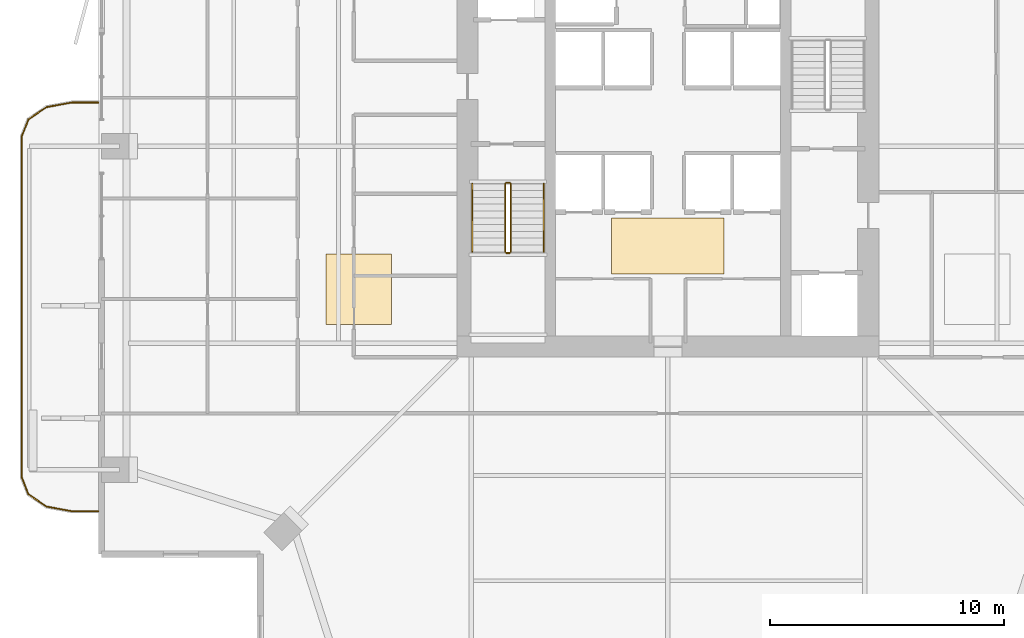
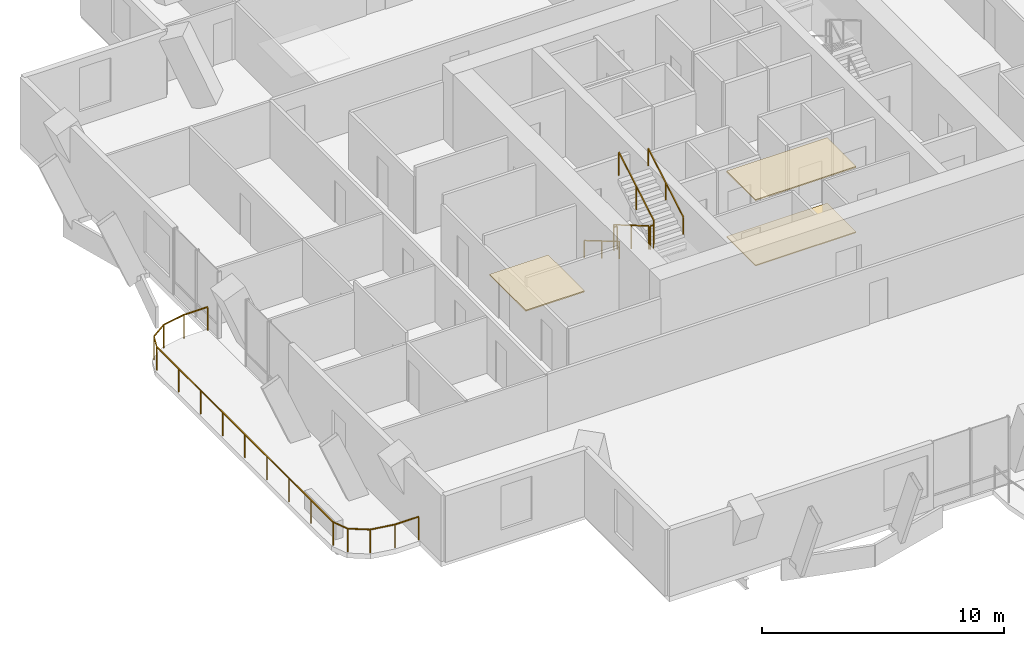
# One storey, part 22 of 24: 7 railings, 3 coverings.
"""IFC4 building model written with IfcOpenShell, lengths in metres."""

import ifcopenshell
import ifcopenshell.guid

model = None  # the IFC model being written
_history = None  # IfcOwnerHistory: only IFC2X3 demands one
_inside = {}  # id of a spatial element -> (the spatial element, [elements in it])
_under = {}  # id of a project, library or spatial element -> (it, [spatial elements below it])
_declared = {}  # id of a project -> (the project, [libraries it declares])
_typed = {}  # id of a type object -> (the type object, [elements of that type])
_made_of = {}  # id of a material, layer set ... -> (it, [elements and type objects made of it])


def new_model(schema):
    """Start an empty IFC model of exactly this schema.

    Asked for "IFC4X3", IfcOpenShell would pick the latest addendum, in which some entities
    have other attributes; the version numbers below select the first issue.
    IFC2X3 requires an IfcOwnerHistory on every rooted entity: one is made here for all.
    """
    global model, _history
    if schema == "IFC4X3":
        model = ifcopenshell.file(schema_version=(4, 3, 0, 0))
    else:
        model = ifcopenshell.file(schema=schema)
    _inside.clear()
    _under.clear()
    _declared.clear()
    _typed.clear()
    _made_of.clear()
    _history = None
    if model.schema == "IFC2X3":
        org = make("IfcOrganization", Name="unknown")
        user = make(
            "IfcPersonAndOrganization",
            ThePerson=make("IfcPerson", FamilyName="unknown"),
            TheOrganization=org,
        )
        app = make(
            "IfcApplication",
            ApplicationDeveloper=org,
            Version="unknown",
            ApplicationFullName="unknown",
            ApplicationIdentifier="unknown",
        )
        _history = make(
            "IfcOwnerHistory",
            OwningUser=user,
            OwningApplication=app,
            ChangeAction="ADDED",
            CreationDate=0,
        )
    return model


def make(cls, **values):
    """One entity of the class cls with the attributes given. An attribute that is None is left unset."""
    return model.create_entity(
        cls, **{name: value for name, value in values.items() if value is not None}
    )


def rooted(cls, **values):
    """An entity with a GlobalId (a new one), such as an element, a storey or a relation."""
    return make(cls, GlobalId=ifcopenshell.guid.new(), OwnerHistory=_history, **values)


def si_unit(unit_type, name, prefix=None):
    """IfcSIUnit, for example si_unit("LENGTHUNIT", "METRE", prefix="MILLI")."""
    return make("IfcSIUnit", UnitType=unit_type, Prefix=prefix, Name=name)


def assignment(units):
    """IfcUnitAssignment: the units of a project."""
    return None if units is None else make("IfcUnitAssignment", Units=units)


def point(xyz):
    """IfcCartesianPoint."""
    return None if xyz is None else make("IfcCartesianPoint", Coordinates=xyz)


def direction(xyz):
    """IfcDirection."""
    return None if xyz is None else make("IfcDirection", DirectionRatios=xyz)


def frame(location, z_axis=None, x_axis=None):
    """IfcAxis2Placement3D, a coordinate frame: its origin and axes. An axis left out is left unset."""
    return make(
        "IfcAxis2Placement3D",
        Location=point(location),
        Axis=direction(z_axis),
        RefDirection=direction(x_axis),
    )


def frame_2d(location, x_axis=None):
    """IfcAxis2Placement2D, a coordinate frame in the plane: its origin and x axis."""
    return make(
        "IfcAxis2Placement2D", Location=point(location), RefDirection=direction(x_axis)
    )


def origin():
    """The frame at (0, 0, 0) with its axes left unset."""
    return frame((0.0, 0.0, 0.0))


def origin_2d():
    """The frame at (0, 0) in the plane with its x axis left unset."""
    return frame_2d((0.0, 0.0))


def place(relative_to, where):
    """IfcLocalPlacement: puts the frame where relative to a parent placement (None: the world)."""
    return make(
        "IfcLocalPlacement", PlacementRelTo=relative_to, RelativePlacement=where
    )


def context(
    kind, dimensions, precision=None, world=None, true_north=None, identifier=None
):
    """IfcGeometricRepresentationContext, for example the 3D "Model" context."""
    return make(
        "IfcGeometricRepresentationContext",
        ContextIdentifier=identifier,
        ContextType=kind,
        CoordinateSpaceDimension=dimensions,
        Precision=precision,
        WorldCoordinateSystem=world,
        TrueNorth=true_north,
    )


def subcontext(parent, identifier, kind, view, scale=None):
    """IfcGeometricRepresentationSubContext, for example "Body" below "Model"."""
    return make(
        "IfcGeometricRepresentationSubContext",
        ContextIdentifier=identifier,
        ContextType=kind,
        ParentContext=parent,
        TargetScale=scale,
        TargetView=view,
    )


def project(units=None, contexts=None):
    """IfcProject with its units and contexts."""
    return rooted(
        "IfcProject",
        Name="project",
        RepresentationContexts=contexts,
        UnitsInContext=assignment(units),
    )


def spatial(cls, under=None, at=None, **own):
    """A site, building, storey or space (cls), placed at a placement, below another one or the project."""
    s = rooted(cls, ObjectPlacement=at, **own)
    if under is not None:
        _under.setdefault(under.id(), (under, []))[1].append(s)
    return s


def polyline(points):
    """IfcPolyline through the points."""
    return make("IfcPolyline", Points=[point(p) for p in points])


def profile(cls, at=None, kind="AREA", **sizes):
    """A parametric profile (cls). Its sizes go by their IFC names, for example OverallWidth=200.0."""
    return make(cls, ProfileType=kind, Position=at, **sizes)


def rectangle(**sizes):
    """IfcRectangleProfileDef."""
    return profile("IfcRectangleProfileDef", **sizes)


def outline(outer, holes=None, kind="AREA"):
    """IfcArbitraryClosedProfileDef: a profile drawn as a closed curve; with holes, ...WithVoids."""
    if holes is None:
        return make("IfcArbitraryClosedProfileDef", ProfileType=kind, OuterCurve=outer)
    return make(
        "IfcArbitraryProfileDefWithVoids",
        ProfileType=kind,
        OuterCurve=outer,
        InnerCurves=holes,
    )


def extrude(swept, where, along, depth):
    """IfcExtrudedAreaSolid: the profile swept, set in the frame where, extruded along a direction by depth."""
    return make(
        "IfcExtrudedAreaSolid",
        SweptArea=swept,
        Position=where,
        ExtrudedDirection=direction(along),
        Depth=depth,
    )


def shape(context_of_items, identifier, shape_type, items):
    """IfcShapeRepresentation: the items that make up one representation, for example the "Body"."""
    return make(
        "IfcShapeRepresentation",
        ContextOfItems=context_of_items,
        RepresentationIdentifier=identifier,
        RepresentationType=shape_type,
        Items=items,
    )


def material(Name=None, Category=None):
    """IfcMaterial."""
    return make("IfcMaterial", Name=Name, Category=Category)


def layer(
    of_material, thickness, ventilated=None, Name=None, Category=None, Priority=None
):
    """IfcMaterialLayer: one layer of a wall or slab, of a material (None: an air gap)."""
    return make(
        "IfcMaterialLayer",
        Material=of_material,
        LayerThickness=thickness,
        IsVentilated=ventilated,
        Name=Name,
        Category=Category,
        Priority=Priority,
    )


def layer_set(layers, Name=None):
    """IfcMaterialLayerSet."""
    return make("IfcMaterialLayerSet", MaterialLayers=layers, LayerSetName=Name)


def made_of(thing, what):
    """Note that an element or type object is made of a material, layer set ...; save() writes the relation."""
    if what is not None:
        _made_of.setdefault(what.id(), (what, []))[1].append(thing)
    return thing


def type_object(cls, material=None, **own):
    """A type object (cls), such as IfcWallType, which elements share."""
    return made_of(rooted(cls, **own), material)


def element(
    cls,
    number,
    at=None,
    inside=None,
    cuts=None,
    type_object=None,
    material=None,
    context=None,
    identifier="Body",
    shape_type=None,
    held_by="IfcProductDefinitionShape",
    body=None,
    shapes=None,
    **own,
):
    """One element of the class cls, such as IfcWall. Its Tag is "e" and its number.

    at: its placement. inside: the storey or other place that contains it. cuts: it is an
    opening in that element (IfcRelVoidsElement). A single representation is given by context,
    identifier, shape_type and body (its items); several are given by shapes. held_by: the class
    of the entity that holds the representations. save() writes the other relations.
    """
    e = rooted(cls, Tag="e%d" % number, ObjectPlacement=at, **own)
    if body is not None:
        shapes = [shape(context, identifier, shape_type, body)]
    if shapes is not None:
        e.Representation = make(held_by, Representations=shapes)
    if inside is not None:
        _inside.setdefault(inside.id(), (inside, []))[1].append(e)
    if cuts is not None:
        rooted(
            "IfcRelVoidsElement", RelatingBuildingElement=cuts, RelatedOpeningElement=e
        )
    if type_object is not None:
        _typed.setdefault(type_object.id(), (type_object, []))[1].append(e)
    return made_of(e, material)


def aggregate(whole, parts):
    """IfcRelAggregates: a whole, such as a stair, and the parts it consists of."""
    return rooted("IfcRelAggregates", RelatingObject=whole, RelatedObjects=parts)


def save(model, path):
    """Write the relations noted so far, then the file.

    IfcRelAggregates (storeys below a building ...), IfcRelContainedInSpatialStructure (elements
    in a storey), IfcRelDefinesByType, IfcRelAssociatesMaterial and IfcRelDeclares: one each for
    every whole, place, type object, material and project.
    """
    for whole, parts in _under.values():
        aggregate(whole, parts)
    for where, things in _inside.values():
        rooted(
            "IfcRelContainedInSpatialStructure",
            RelatedElements=things,
            RelatingStructure=where,
        )
    for kind, things in _typed.values():
        rooted("IfcRelDefinesByType", RelatedObjects=things, RelatingType=kind)
    for what, things in _made_of.values():
        rooted("IfcRelAssociatesMaterial", RelatedObjects=things, RelatingMaterial=what)
    for by, libraries in _declared.values():
        rooted("IfcRelDeclares", RelatingContext=by, RelatedDefinitions=libraries)
    model.write(path)


model = new_model("IFC4")

# Units and contexts
model_context = context("Model", 3, precision=1e-05, world=origin(), true_north=direction((0.0, 1.0)))
body_context = subcontext(model_context, "Body", "Model", "MODEL_VIEW")
ifc_project = project(units=[si_unit("LENGTHUNIT", "METRE"), si_unit("AREAUNIT", "SQUARE_METRE"), si_unit("VOLUMEUNIT", "CUBIC_METRE"), si_unit("PLANEANGLEUNIT", "RADIAN"), si_unit("MASSUNIT", "GRAM", prefix="KILO")], contexts=[model_context])

# Site, building, storey
site_placement = place(None, origin())
site = spatial("IfcSite", under=ifc_project, at=site_placement, CompositionType="ELEMENT")
building_placement = place(site_placement, origin())
building = spatial("IfcBuilding", under=site, at=building_placement, Name="Belovzor Exchange Tower", CompositionType="ELEMENT")
storey_placement = place(building_placement, frame((0.0, 0.0, 190.800048828125)))
storey = spatial("IfcBuildingStorey", under=building, at=storey_placement, Name="L47", CompositionType="ELEMENT", Elevation=190.800048828125)

# Railings
ifc_material_1 = material(Name="Stainless Steel Grade 304", Category="steel")
railing_type_1 = type_object("IfcRailingType", Name="Brushed Stainless Steel Stair Handrail 900", PredefinedType="HANDRAIL", material=ifc_material_1)
railing_1_placement = place(storey_placement, frame((20.449951171875, 27.199951171875, 0.17041015625)))
element("IfcRailing", 1, at=railing_1_placement, inside=storey, type_object=railing_type_1, Name="L47 ST-1 stair handrail 1", PredefinedType="HANDRAIL", context=body_context, shape_type="SweptSolid", body=[
    extrude(rectangle(XDim=0.048095703125, YDim=0.048095703125, at=origin_2d()), frame((0.0, 0.0, 0.8759765625), z_axis=(0.0, -0.86209462966, 0.506747323142), x_axis=(1.0, 0.0, 0.0)), (0.0, 0.0, 1.0), 3.36376953125),
    extrude(rectangle(XDim=0.0419921875, YDim=0.0419921875, at=origin_2d()), origin(), (0.0, 0.0, 1.0), 0.851806640625),
    extrude(rectangle(XDim=0.0419921875, YDim=0.0419921875, at=origin_2d()), frame((0.0, -1.449951171875, 0.852294921875)), (0.0, 0.0, 1.0), 0.851806640625),
    extrude(rectangle(XDim=0.0419921875, YDim=0.0419921875, at=origin_2d()), frame((0.0, -2.89990234375, 1.70458984375)), (0.0, 0.0, 1.0), 0.851806640625),
])
railing_2_placement = place(storey_placement, frame((23.5, 24.300048828125, 2.04541015625)))
element("IfcRailing", 2, at=railing_2_placement, inside=storey, type_object=railing_type_1, Name="L47 ST-1 stair handrail 2", PredefinedType="HANDRAIL", context=body_context, shape_type="SweptSolid", body=[
    extrude(rectangle(XDim=0.048095703125, YDim=0.048095703125, at=origin_2d()), frame((0.0, 0.0, 0.8759765625), z_axis=(0.0, 0.86209462966, 0.506747323142), x_axis=(-1.0, 0.0, 0.0)), (0.0, 0.0, 1.0), 3.36376953125),
    extrude(rectangle(XDim=0.0419921875, YDim=0.0419921875, at=origin_2d()), origin(), (0.0, 0.0, 1.0), 0.851806640625),
    extrude(rectangle(XDim=0.0419921875, YDim=0.0419921875, at=origin_2d()), frame((0.0, 1.449951171875, 0.852294921875)), (0.0, 0.0, 1.0), 0.851806640625),
    extrude(rectangle(XDim=0.0419921875, YDim=0.0419921875, at=origin_2d()), frame((0.0, 2.89990234375, 1.70458984375)), (0.0, 0.0, 1.0), 0.851806640625),
])
ifc_material_2 = material(Name="Stainless Steel and Laminated Safety Glass", Category="steel")
railing_type_2 = type_object("IfcRailingType", Name="Laminated Glass & Stainless Steel Balcony Balustrade 1200", PredefinedType="BALUSTRADE", material=ifc_material_2)
railing_3_placement = place(storey_placement, frame((4.489990234375, 30.669921875, 0.0)))
element("IfcRailing", 3, at=railing_3_placement, inside=storey, type_object=railing_type_2, Name="GR-1 Balcony Balustrade L47 West", PredefinedType="BALUSTRADE", context=body_context, shape_type="SweptSolid", body=[
    extrude(rectangle(XDim=0.048095703125, YDim=0.048095703125, at=origin_2d()), frame((0.0, 0.0, 1.17578125), z_axis=(-1.0, 0.0, 0.0), x_axis=(0.0, -1.0, 0.0)), (0.0, 0.0, 1.0), 1.133056640625),
    extrude(rectangle(XDim=0.048095703125, YDim=0.048095703125, at=origin_2d()), frame((-1.133056640625, 0.0, 1.17578125), z_axis=(-0.983644145941, -0.180122719713, 0.0), x_axis=(0.180122719713, -0.983644145941, 0.0)), (0.0, 0.0, 1.0), 1.09375),
    extrude(rectangle(XDim=0.048095703125, YDim=0.048095703125, at=origin_2d()), frame((-2.208984375, -0.197021484375, 1.17578125), z_axis=(-0.826614792125, -0.562768145367, 0.0), x_axis=(0.562768145367, -0.826614792125, 0.0)), (0.0, 0.0, 1.0), 0.9326171875),
    extrude(rectangle(XDim=0.048095703125, YDim=0.048095703125, at=origin_2d()), frame((-2.97998046875, -0.721923828125, 1.17578125), z_axis=(-0.365612923861, -0.930766990125, 0.0), x_axis=(0.930766990125, -0.365612923861, 0.0)), (0.0, 0.0, 1.0), 0.765869140625),
    extrude(rectangle(XDim=0.048095703125, YDim=0.048095703125, at=origin_2d()), frame((-3.260009765625, -1.434814453125, 1.17578125), z_axis=(0.0, -1.0, 0.0), x_axis=(1.0, 0.0, 0.0)), (0.0, 0.0, 1.0), 14.570068359375),
    extrude(rectangle(XDim=0.048095703125, YDim=0.048095703125, at=origin_2d()), frame((-3.260009765625, -16.0048828125, 1.17578125), z_axis=(0.365504480807, -0.930809580156, 0.0), x_axis=(0.930809580156, 0.365504480807, 0.0)), (0.0, 0.0, 1.0), 0.76611328125),
    extrude(rectangle(XDim=0.048095703125, YDim=0.048095703125, at=origin_2d()), frame((-2.97998046875, -16.718017578125, 1.17578125), z_axis=(0.826614792125, -0.562768145367, 0.0), x_axis=(0.562768145367, 0.826614792125, 0.0)), (0.0, 0.0, 1.0), 0.9326171875),
    extrude(rectangle(XDim=0.048095703125, YDim=0.048095703125, at=origin_2d()), frame((-2.208984375, -17.242919921875, 1.17578125), z_axis=(0.983644145941, -0.180122719713, 0.0), x_axis=(0.180122719713, 0.983644145941, 0.0)), (0.0, 0.0, 1.0), 1.09375),
    extrude(rectangle(XDim=0.048095703125, YDim=0.048095703125, at=origin_2d()), frame((-1.133056640625, -17.43994140625, 1.17578125), z_axis=(1.0, 0.0, 0.0), x_axis=(0.0, 1.0, 0.0)), (0.0, 0.0, 1.0), 1.133056640625),
    extrude(rectangle(XDim=0.0419921875, YDim=0.0419921875, at=origin_2d()), origin(), (0.0, 0.0, 1.0), 1.15185546875),
    extrude(rectangle(XDim=0.0419921875, YDim=0.0419921875, at=origin_2d()), frame((-1.133056640625, 0.0, 0.0)), (0.0, 0.0, 1.0), 1.15185546875),
    extrude(rectangle(XDim=0.0419921875, YDim=0.0419921875, at=origin_2d()), frame((-2.208984375, -0.197021484375, 0.0)), (0.0, 0.0, 1.0), 1.15185546875),
    extrude(rectangle(XDim=0.0419921875, YDim=0.0419921875, at=origin_2d()), frame((-2.97998046875, -0.721923828125, 0.0)), (0.0, 0.0, 1.0), 1.15185546875),
    extrude(rectangle(XDim=0.0419921875, YDim=0.0419921875, at=origin_2d()), frame((-3.260009765625, -1.434814453125, 0.0)), (0.0, 0.0, 1.0), 1.15185546875),
    extrude(rectangle(XDim=0.0419921875, YDim=0.0419921875, at=origin_2d()), frame((-3.260009765625, -3.256103515625, 0.0)), (0.0, 0.0, 1.0), 1.15185546875),
    extrude(rectangle(XDim=0.0419921875, YDim=0.0419921875, at=origin_2d()), frame((-3.260009765625, -5.077392578125, 0.0)), (0.0, 0.0, 1.0), 1.15185546875),
    extrude(rectangle(XDim=0.0419921875, YDim=0.0419921875, at=origin_2d()), frame((-3.260009765625, -6.898681640625, 0.0)), (0.0, 0.0, 1.0), 1.15185546875),
    extrude(rectangle(XDim=0.0419921875, YDim=0.0419921875, at=origin_2d()), frame((-3.260009765625, -8.7197265625, 0.0)), (0.0, 0.0, 1.0), 1.15185546875),
    extrude(rectangle(XDim=0.0419921875, YDim=0.0419921875, at=origin_2d()), frame((-3.260009765625, -10.541015625, 0.0)), (0.0, 0.0, 1.0), 1.15185546875),
    extrude(rectangle(XDim=0.0419921875, YDim=0.0419921875, at=origin_2d()), frame((-3.260009765625, -12.3623046875, 0.0)), (0.0, 0.0, 1.0), 1.15185546875),
    extrude(rectangle(XDim=0.0419921875, YDim=0.0419921875, at=origin_2d()), frame((-3.260009765625, -14.18359375, 0.0)), (0.0, 0.0, 1.0), 1.15185546875),
    extrude(rectangle(XDim=0.0419921875, YDim=0.0419921875, at=origin_2d()), frame((-3.260009765625, -16.0048828125, 0.0)), (0.0, 0.0, 1.0), 1.15185546875),
    extrude(rectangle(XDim=0.0419921875, YDim=0.0419921875, at=origin_2d()), frame((-2.97998046875, -16.718017578125, 0.0)), (0.0, 0.0, 1.0), 1.15185546875),
    extrude(rectangle(XDim=0.0419921875, YDim=0.0419921875, at=origin_2d()), frame((-2.208984375, -17.242919921875, 0.0)), (0.0, 0.0, 1.0), 1.15185546875),
    extrude(rectangle(XDim=0.0419921875, YDim=0.0419921875, at=origin_2d()), frame((-1.133056640625, -17.43994140625, 0.0)), (0.0, 0.0, 1.0), 1.15185546875),
    extrude(rectangle(XDim=0.0419921875, YDim=0.0419921875, at=origin_2d()), frame((0.0, -17.43994140625, 0.0)), (0.0, 0.0, 1.0), 1.15185546875),
])
ifc_material_3 = material(Name="Steel S355", Category="steel")
railing_type_3 = type_object("IfcRailingType", Name="Painted Steel Stairwell Guardrail 1200", PredefinedType="GUARDRAIL", material=ifc_material_3)
railing_4_placement = place(storey_placement, frame((21.85009765625, 27.199951171875, 0.17041015625)))
element("IfcRailing", 4, at=railing_4_placement, inside=storey, type_object=railing_type_3, Name="L47 ST-1 stair guard 1", PredefinedType="GUARDRAIL", context=body_context, shape_type="SweptSolid", body=[
    extrude(rectangle(XDim=0.048095703125, YDim=0.048095703125, at=origin_2d()), frame((0.0, 0.0, 1.17578125), z_axis=(0.0, -0.86209462966, 0.506747323142), x_axis=(1.0, 0.0, 0.0)), (0.0, 0.0, 1.0), 3.36376953125),
    extrude(rectangle(XDim=0.0419921875, YDim=0.0419921875, at=origin_2d()), origin(), (0.0, 0.0, 1.0), 1.15185546875),
    extrude(rectangle(XDim=0.0419921875, YDim=0.0419921875, at=origin_2d()), frame((0.0, -1.449951171875, 0.852294921875)), (0.0, 0.0, 1.0), 1.15185546875),
    extrude(rectangle(XDim=0.0419921875, YDim=0.0419921875, at=origin_2d()), frame((0.0, -2.89990234375, 1.70458984375)), (0.0, 0.0, 1.0), 1.15185546875),
])
railing_5_placement = place(storey_placement, frame((21.89990234375, 24.25, 1.875)))
element("IfcRailing", 5, at=railing_5_placement, inside=storey, type_object=railing_type_3, Name="L47 ST-1 stair guard 2", PredefinedType="GUARDRAIL", context=body_context, shape_type="SweptSolid", body=[
    extrude(rectangle(XDim=0.048095703125, YDim=0.048095703125, at=origin_2d()), frame((0.0, 0.0, 1.17578125), z_axis=(1.0, 0.0, 0.0), x_axis=(0.0, 1.0, 0.0)), (0.0, 0.0, 1.0), 0.150146484375),
    extrude(rectangle(XDim=0.0419921875, YDim=0.0419921875, at=origin_2d()), origin(), (0.0, 0.0, 1.0), 1.15185546875),
    extrude(rectangle(XDim=0.0419921875, YDim=0.0419921875, at=origin_2d()), frame((0.150146484375, 0.0, 0.0)), (0.0, 0.0, 1.0), 1.15185546875),
])
railing_6_placement = place(storey_placement, frame((22.10009765625, 24.300048828125, 2.04541015625)))
element("IfcRailing", 6, at=railing_6_placement, inside=storey, type_object=railing_type_3, Name="L47 ST-1 stair guard 3", PredefinedType="GUARDRAIL", context=body_context, shape_type="SweptSolid", body=[
    extrude(rectangle(XDim=0.048095703125, YDim=0.048095703125, at=origin_2d()), frame((0.0, 0.0, 1.17578125), z_axis=(0.0, 0.86209462966, 0.506747323142), x_axis=(-1.0, 0.0, 0.0)), (0.0, 0.0, 1.0), 3.36376953125),
    extrude(rectangle(XDim=0.0419921875, YDim=0.0419921875, at=origin_2d()), origin(), (0.0, 0.0, 1.0), 1.15185546875),
    extrude(rectangle(XDim=0.0419921875, YDim=0.0419921875, at=origin_2d()), frame((0.0, 1.449951171875, 0.852294921875)), (0.0, 0.0, 1.0), 1.15185546875),
    extrude(rectangle(XDim=0.0419921875, YDim=0.0419921875, at=origin_2d()), frame((0.0, 2.89990234375, 1.70458984375)), (0.0, 0.0, 1.0), 1.15185546875),
])
railing_7_placement = place(storey_placement, frame((21.89990234375, 27.25, 0.0)))
element("IfcRailing", 7, at=railing_7_placement, inside=storey, type_object=railing_type_3, Name="L47 ST-1 stair guard 4", PredefinedType="GUARDRAIL", context=body_context, shape_type="SweptSolid", body=[
    extrude(rectangle(XDim=0.048095703125, YDim=0.048095703125, at=origin_2d()), frame((0.0, 0.0, 1.17578125), z_axis=(1.0, 0.0, 0.0), x_axis=(0.0, 1.0, 0.0)), (0.0, 0.0, 1.0), 0.150146484375),
    extrude(rectangle(XDim=0.0419921875, YDim=0.0419921875, at=origin_2d()), origin(), (0.0, 0.0, 1.0), 1.15185546875),
    extrude(rectangle(XDim=0.0419921875, YDim=0.0419921875, at=origin_2d()), frame((0.150146484375, 0.0, 0.0)), (0.0, 0.0, 1.0), 1.15185546875),
])

# Coverings
ifc_material_4 = material(Name="Perforated Powder-Coated Aluminium", Category="aluminium")
ifc_layer_1 = layer(ifc_material_4, 0.06005859375)
ifc_layer_set_1 = layer_set([ifc_layer_1], Name="Perforated Powder-Coated Aluminium")
covering_type_1 = type_object("IfcCoveringType", Name="Perforated Acoustic Metal Tile Suspended Ceiling 60", PredefinedType="CEILING", material=ifc_layer_set_1)
covering_1_placement = place(storey_placement, frame((0.0, 0.0, 3.2900390625)))
element("IfcCovering", 8, at=covering_1_placement, inside=storey, type_object=covering_type_1, Name="CLG-AC60 Suspended Ceiling CLG-L47-LOB", PredefinedType="CEILING", context=body_context, shape_type="SweptSolid", body=[
    extrude(outline(polyline([(26.39990234375, 23.35009765625), (31.199951171875, 23.35009765625), (31.199951171875, 25.75), (26.39990234375, 25.75), (26.39990234375, 23.35009765625)])), origin(), (0.0, 0.0, 1.0), 0.059814453125),
])
covering_2_placement = place(storey_placement, frame((0.0, 0.0, 3.2900390625)))
element("IfcCovering", 9, at=covering_2_placement, inside=storey, type_object=covering_type_1, Name="CLG-AC60 Suspended Ceiling CLG-L47-Z3", PredefinedType="CEILING", context=body_context, shape_type="SweptSolid", body=[
    extrude(outline(polyline([(14.199951171875, 21.199951171875), (17.0, 21.199951171875), (17.0, 24.199951171875), (14.199951171875, 24.199951171875), (14.199951171875, 21.199951171875)])), origin(), (0.0, 0.0, 1.0), 0.059814453125),
])
ifc_material_5 = material(Name="Polished Natural Granite Tile", Category="masonry")
ifc_layer_2 = layer(ifc_material_5, 0.050048828125)
ifc_layer_set_2 = layer_set([ifc_layer_2], Name="Polished Natural Granite Tile")
covering_type_2 = type_object("IfcCoveringType", Name="Polished Karelian Granite & Raised Access Floor Finish 50", PredefinedType="FLOORING", material=ifc_layer_set_2)
covering_3_placement = place(storey_placement, origin())
element("IfcCovering", 10, at=covering_3_placement, inside=storey, type_object=covering_type_2, Name="FLR-GR50 Floor Finish FLR-L47-LOB", PredefinedType="FLOORING", context=body_context, shape_type="SweptSolid", body=[
    extrude(outline(polyline([(26.39990234375, 23.35009765625), (31.199951171875, 23.35009765625), (31.199951171875, 25.75), (26.39990234375, 25.75), (26.39990234375, 23.35009765625)])), origin(), (0.0, 0.0, 1.0), 0.050048828125),
])

save(model, "model.ifc")
